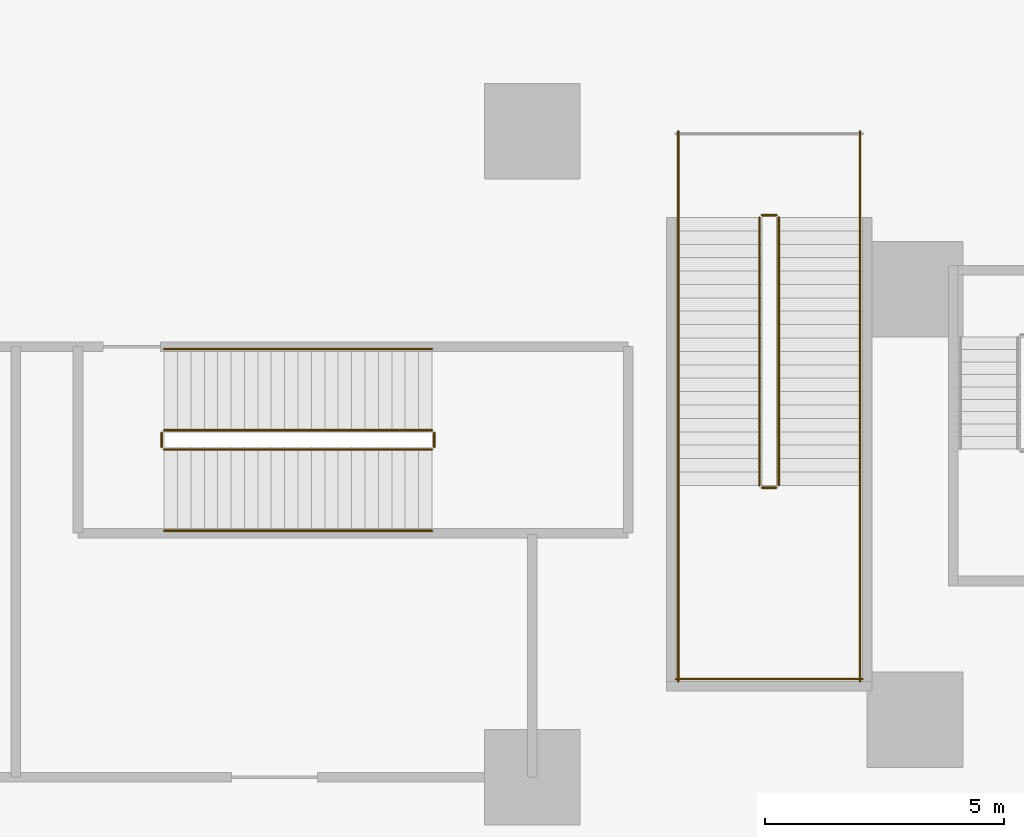
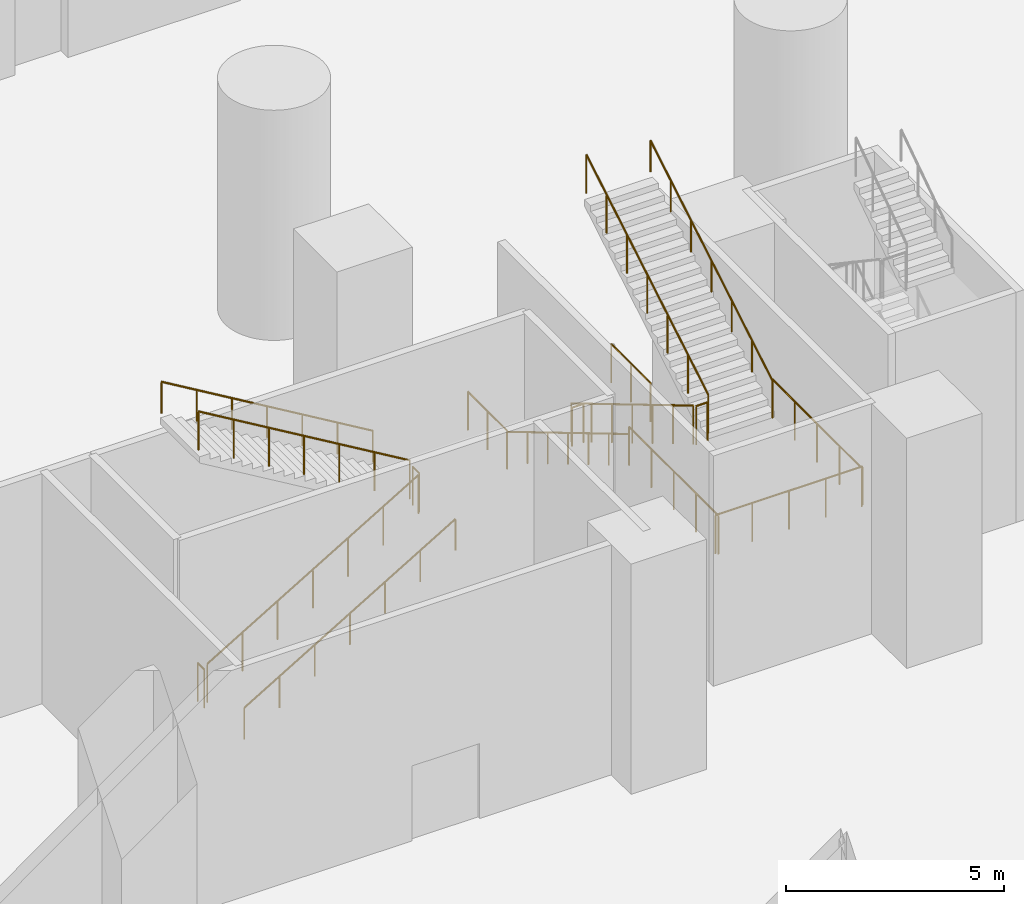
# One storey, part 21 of 37: 17 railings.
"""IFC4 building model written with IfcOpenShell, lengths in metres."""

from ifc_helpers import new_model, si_unit, direction, frame, origin, origin_2d, place, context, subcontext, project, spatial, circle, extrude, material, type_object, element, save


model = new_model("IFC4")

# Units and contexts
model_context = context("Model", 3, precision=1e-05, world=origin(), true_north=direction((0.0, 1.0)))
body_context = subcontext(model_context, "Body", "Model", "MODEL_VIEW")
ifc_project = project(units=[si_unit("LENGTHUNIT", "METRE"), si_unit("AREAUNIT", "SQUARE_METRE"), si_unit("VOLUMEUNIT", "CUBIC_METRE"), si_unit("PLANEANGLEUNIT", "RADIAN"), si_unit("MASSUNIT", "GRAM", prefix="KILO")], contexts=[model_context])

# Site, building, storey
site_placement = place(None, origin())
site = spatial("IfcSite", under=ifc_project, at=site_placement, CompositionType="ELEMENT")
building_placement = place(site_placement, origin())
building = spatial("IfcBuilding", under=site, at=building_placement, Name="Tamarind Cross Interchange Tower", CompositionType="ELEMENT")
storey_placement = place(building_placement, frame((0.0, 0.0, -7.0)))
storey = spatial("IfcBuildingStorey", under=building, at=storey_placement, Name="B1", CompositionType="ELEMENT", Elevation=-7.0)

# Railings
ifc_material_1 = material(Name="Public stair guard")
railing_type_1 = type_object("IfcRailingType", Name="Public stair guard", PredefinedType="GUARDRAIL", material=ifc_material_1)
railing_1_placement = place(storey_placement, frame((-8.75, -28.800048828125, 0.166748046875)))
element("IfcRailing", 1, at=railing_1_placement, inside=storey, type_object=railing_type_1, Name="B1 PS-S stair guard 1", PredefinedType="GUARDRAIL", context=body_context, shape_type="SweptSolid", body=[
    extrude(circle(Radius=0.02392578125, at=origin_2d()), frame((0.0, 0.0, 1.076171875), z_axis=(0.0, -0.859292492371, 0.511484518392), x_axis=(1.0, 0.0, 0.0)), (0.0, 0.0, 1.0), 6.516845703125),
    extrude(circle(Radius=0.02099609375, at=origin_2d()), origin(), (0.0, 0.0, 1.0), 1.052001953125),
    extrude(circle(Radius=0.02099609375, at=origin_2d()), frame((0.0, -0.933349609375, 0.5556640625)), (0.0, 0.0, 1.0), 1.052001953125),
    extrude(circle(Radius=0.02099609375, at=origin_2d()), frame((0.0, -1.86669921875, 1.111083984375)), (0.0, 0.0, 1.0), 1.052001953125),
    extrude(circle(Radius=0.02099609375, at=origin_2d()), frame((0.0, -2.7998046875, 1.66650390625)), (0.0, 0.0, 1.0), 1.052001953125),
    extrude(circle(Radius=0.02099609375, at=origin_2d()), frame((0.0, -3.733154296875, 2.22216796875)), (0.0, 0.0, 1.0), 1.052001953125),
    extrude(circle(Radius=0.02099609375, at=origin_2d()), frame((0.0, -4.66650390625, 2.77783203125)), (0.0, 0.0, 1.0), 1.052001953125),
    extrude(circle(Radius=0.02099609375, at=origin_2d()), frame((0.0, -5.599853515625, 3.333251953125)), (0.0, 0.0, 1.0), 1.052001953125),
])
railing_2_placement = place(storey_placement, frame((-8.699951171875, -34.449951171875, 3.5)))
element("IfcRailing", 2, at=railing_2_placement, inside=storey, type_object=railing_type_1, Name="B1 PS-S stair guard 2", PredefinedType="GUARDRAIL", context=body_context, shape_type="SweptSolid", body=[
    extrude(circle(Radius=0.02392578125, at=origin_2d()), frame((0.0, 0.0, 1.076171875), z_axis=(1.0, 0.0, 0.0), x_axis=(0.0, 1.0, 0.0)), (0.0, 0.0, 1.0), 0.300048828125),
    extrude(circle(Radius=0.02099609375, at=origin_2d()), origin(), (0.0, 0.0, 1.0), 1.052001953125),
    extrude(circle(Radius=0.02099609375, at=origin_2d()), frame((0.300048828125, 0.0, 0.0)), (0.0, 0.0, 1.0), 1.052001953125),
])
for number, where, name in (
    (3, (-10.449951171875, -34.39990234375, 3.5), "B1 PS-S stair guard 3"),
    (4, (-6.64990234375, -34.39990234375, 3.5), "B1 PS-S stair guard 4"),
):
    element("IfcRailing", number, at=place(storey_placement, frame(where)), inside=storey, type_object=railing_type_1, Name=name, PredefinedType="GUARDRAIL", context=body_context, shape_type="SweptSolid", body=[
        extrude(circle(Radius=0.02392578125, at=origin_2d()), frame((0.0, 0.0, 1.076171875), z_axis=(0.0, -1.0, 0.0), x_axis=(1.0, 0.0, 0.0)), (0.0, 0.0, 1.0), 4.10009765625),
        extrude(circle(Radius=0.02099609375, at=origin_2d()), origin(), (0.0, 0.0, 1.0), 1.052001953125),
        extrude(circle(Radius=0.02099609375, at=origin_2d()), frame((0.0, -1.02490234375, 0.0)), (0.0, 0.0, 1.0), 1.052001953125),
        extrude(circle(Radius=0.02099609375, at=origin_2d()), frame((0.0, -2.050048828125, 0.0)), (0.0, 0.0, 1.0), 1.052001953125),
        extrude(circle(Radius=0.02099609375, at=origin_2d()), frame((0.0, -3.0751953125, 0.0)), (0.0, 0.0, 1.0), 1.052001953125),
        extrude(circle(Radius=0.02099609375, at=origin_2d()), frame((0.0, -4.10009765625, 0.0)), (0.0, 0.0, 1.0), 1.052001953125),
    ])
railing_3_placement = place(storey_placement, frame((-10.5, -38.449951171875, 3.5)))
element("IfcRailing", 5, at=railing_3_placement, inside=storey, type_object=railing_type_1, Name="B1 PS-S stair guard 5", PredefinedType="GUARDRAIL", context=body_context, shape_type="SweptSolid", body=[
    extrude(circle(Radius=0.02392578125, at=origin_2d()), frame((0.0, 0.0, 1.076171875), z_axis=(1.0, 0.0, 0.0), x_axis=(0.0, 1.0, 0.0)), (0.0, 0.0, 1.0), 3.89990234375),
    extrude(circle(Radius=0.02099609375, at=origin_2d()), origin(), (0.0, 0.0, 1.0), 1.052001953125),
    extrude(circle(Radius=0.02099609375, at=origin_2d()), frame((0.97509765625, 0.0, 0.0)), (0.0, 0.0, 1.0), 1.052001953125),
    extrude(circle(Radius=0.02099609375, at=origin_2d()), frame((1.949951171875, 0.0, 0.0)), (0.0, 0.0, 1.0), 1.052001953125),
    extrude(circle(Radius=0.02099609375, at=origin_2d()), frame((2.9248046875, 0.0, 0.0)), (0.0, 0.0, 1.0), 1.052001953125),
    extrude(circle(Radius=0.02099609375, at=origin_2d()), frame((3.89990234375, 0.0, 0.0)), (0.0, 0.0, 1.0), 1.052001953125),
])
railing_4_placement = place(storey_placement, frame((-8.35009765625, -34.39990234375, 3.666748046875)))
element("IfcRailing", 6, at=railing_4_placement, inside=storey, type_object=railing_type_1, Name="B1 PS-S stair guard 6", PredefinedType="GUARDRAIL", context=body_context, shape_type="SweptSolid", body=[
    extrude(circle(Radius=0.02392578125, at=origin_2d()), frame((0.0, 0.0, 1.076171875), z_axis=(0.0, 0.859292492371, 0.511484518392), x_axis=(-1.0, 0.0, 0.0)), (0.0, 0.0, 1.0), 6.516845703125),
    extrude(circle(Radius=0.02099609375, at=origin_2d()), origin(), (0.0, 0.0, 1.0), 1.052001953125),
    extrude(circle(Radius=0.02099609375, at=origin_2d()), frame((0.0, 0.933349609375, 0.5556640625)), (0.0, 0.0, 1.0), 1.052001953125),
    extrude(circle(Radius=0.02099609375, at=origin_2d()), frame((0.0, 1.86669921875, 1.111083984375)), (0.0, 0.0, 1.0), 1.052001953125),
    extrude(circle(Radius=0.02099609375, at=origin_2d()), frame((0.0, 2.7998046875, 1.66650390625)), (0.0, 0.0, 1.0), 1.052001953125),
    extrude(circle(Radius=0.02099609375, at=origin_2d()), frame((0.0, 3.733154296875, 2.22216796875)), (0.0, 0.0, 1.0), 1.052001953125),
    extrude(circle(Radius=0.02099609375, at=origin_2d()), frame((0.0, 4.66650390625, 2.77783203125)), (0.0, 0.0, 1.0), 1.052001953125),
    extrude(circle(Radius=0.02099609375, at=origin_2d()), frame((0.0, 5.599853515625, 3.333251953125)), (0.0, 0.0, 1.0), 1.052001953125),
])
railing_5_placement = place(storey_placement, frame((-8.699951171875, -28.75, 0.0)))
element("IfcRailing", 7, at=railing_5_placement, inside=storey, type_object=railing_type_1, Name="B1 PS-S stair guard 7", PredefinedType="GUARDRAIL", context=body_context, shape_type="SweptSolid", body=[
    extrude(circle(Radius=0.02392578125, at=origin_2d()), frame((0.0, 0.0, 1.076171875), z_axis=(1.0, 0.0, 0.0), x_axis=(0.0, 1.0, 0.0)), (0.0, 0.0, 1.0), 0.300048828125),
    extrude(circle(Radius=0.02099609375, at=origin_2d()), origin(), (0.0, 0.0, 1.0), 1.052001953125),
    extrude(circle(Radius=0.02099609375, at=origin_2d()), frame((0.300048828125, 0.0, 0.0)), (0.0, 0.0, 1.0), 1.052001953125),
])
for number, where, name in (
    (8, (-10.449951171875, -27.0, 0.0), "B1 PS-S stair guard 8"),
    (9, (-6.64990234375, -27.0, 0.0), "B1 PS-S stair guard 9"),
):
    element("IfcRailing", number, at=place(storey_placement, frame(where)), inside=storey, type_object=railing_type_1, Name=name, PredefinedType="GUARDRAIL", context=body_context, shape_type="SweptSolid", body=[
        extrude(circle(Radius=0.02392578125, at=origin_2d()), frame((0.0, 0.0, 1.076171875), z_axis=(0.0, -1.0, 0.0), x_axis=(1.0, 0.0, 0.0)), (0.0, 0.0, 1.0), 1.800048828125),
        extrude(circle(Radius=0.02099609375, at=origin_2d()), origin(), (0.0, 0.0, 1.0), 1.052001953125),
        extrude(circle(Radius=0.02099609375, at=origin_2d()), frame((0.0, -0.89990234375, 0.0)), (0.0, 0.0, 1.0), 1.052001953125),
        extrude(circle(Radius=0.02099609375, at=origin_2d()), frame((0.0, -1.800048828125, 0.0)), (0.0, 0.0, 1.0), 1.052001953125),
    ])
railing_6_placement = place(storey_placement, frame((-21.199951171875, -33.64990234375, 0.166748046875)))
element("IfcRailing", 10, at=railing_6_placement, inside=storey, type_object=railing_type_1, Name="B1 XS-P09 stair guard 1", PredefinedType="GUARDRAIL", context=body_context, shape_type="SweptSolid", body=[
    extrude(circle(Radius=0.02392578125, at=origin_2d()), frame((0.0, 0.0, 1.076171875), z_axis=(0.859292492371, 0.0, 0.511484518392), x_axis=(0.0, 1.0, 0.0)), (0.0, 0.0, 1.0), 6.516845703125),
    extrude(circle(Radius=0.02099609375, at=origin_2d()), origin(), (0.0, 0.0, 1.0), 1.052001953125),
    extrude(circle(Radius=0.02099609375, at=origin_2d()), frame((0.933349609375, 0.0, 0.5556640625)), (0.0, 0.0, 1.0), 1.052001953125),
    extrude(circle(Radius=0.02099609375, at=origin_2d()), frame((1.86669921875, 0.0, 1.111083984375)), (0.0, 0.0, 1.0), 1.052001953125),
    extrude(circle(Radius=0.02099609375, at=origin_2d()), frame((2.7998046875, 0.0, 1.66650390625)), (0.0, 0.0, 1.0), 1.052001953125),
    extrude(circle(Radius=0.02099609375, at=origin_2d()), frame((3.733154296875, 0.0, 2.22216796875)), (0.0, 0.0, 1.0), 1.052001953125),
    extrude(circle(Radius=0.02099609375, at=origin_2d()), frame((4.66650390625, 0.0, 2.77783203125)), (0.0, 0.0, 1.0), 1.052001953125),
    extrude(circle(Radius=0.02099609375, at=origin_2d()), frame((5.599853515625, 0.0, 3.333251953125)), (0.0, 0.0, 1.0), 1.052001953125),
])
railing_7_placement = place(storey_placement, frame((-15.550048828125, -33.60009765625, 3.5)))
element("IfcRailing", 11, at=railing_7_placement, inside=storey, type_object=railing_type_1, Name="B1 XS-P09 stair guard 2", PredefinedType="GUARDRAIL", context=body_context, shape_type="SweptSolid", body=[
    extrude(circle(Radius=0.02392578125, at=origin_2d()), frame((0.0, 0.0, 1.076171875), z_axis=(0.0, 1.0, 0.0), x_axis=(-1.0, 0.0, 0.0)), (0.0, 0.0, 1.0), 0.300048828125),
    extrude(circle(Radius=0.02099609375, at=origin_2d()), origin(), (0.0, 0.0, 1.0), 1.052001953125),
    extrude(circle(Radius=0.02099609375, at=origin_2d()), frame((0.0, 0.300048828125, 0.0)), (0.0, 0.0, 1.0), 1.052001953125),
])
railing_8_placement = place(storey_placement, frame((-15.60009765625, -33.25, 3.666748046875)))
element("IfcRailing", 12, at=railing_8_placement, inside=storey, type_object=railing_type_1, Name="B1 XS-P09 stair guard 3", PredefinedType="GUARDRAIL", context=body_context, shape_type="SweptSolid", body=[
    extrude(circle(Radius=0.02392578125, at=origin_2d()), frame((0.0, 0.0, 1.076171875), z_axis=(-0.859292492371, 0.0, 0.511484518392), x_axis=(0.0, -1.0, 0.0)), (0.0, 0.0, 1.0), 6.516845703125),
    extrude(circle(Radius=0.02099609375, at=origin_2d()), origin(), (0.0, 0.0, 1.0), 1.052001953125),
    extrude(circle(Radius=0.02099609375, at=origin_2d()), frame((-0.933349609375, 0.0, 0.5556640625)), (0.0, 0.0, 1.0), 1.052001953125),
    extrude(circle(Radius=0.02099609375, at=origin_2d()), frame((-1.86669921875, 0.0, 1.111083984375)), (0.0, 0.0, 1.0), 1.052001953125),
    extrude(circle(Radius=0.02099609375, at=origin_2d()), frame((-2.7998046875, 0.0, 1.66650390625)), (0.0, 0.0, 1.0), 1.052001953125),
    extrude(circle(Radius=0.02099609375, at=origin_2d()), frame((-3.733154296875, 0.0, 2.22216796875)), (0.0, 0.0, 1.0), 1.052001953125),
    extrude(circle(Radius=0.02099609375, at=origin_2d()), frame((-4.66650390625, 0.0, 2.77783203125)), (0.0, 0.0, 1.0), 1.052001953125),
    extrude(circle(Radius=0.02099609375, at=origin_2d()), frame((-5.599853515625, 0.0, 3.333251953125)), (0.0, 0.0, 1.0), 1.052001953125),
])
railing_9_placement = place(storey_placement, frame((-21.25, -33.60009765625, 0.0)))
element("IfcRailing", 13, at=railing_9_placement, inside=storey, type_object=railing_type_1, Name="B1 XS-P09 stair guard 4", PredefinedType="GUARDRAIL", context=body_context, shape_type="SweptSolid", body=[
    extrude(circle(Radius=0.02392578125, at=origin_2d()), frame((0.0, 0.0, 1.076171875), z_axis=(0.0, 1.0, 0.0), x_axis=(-1.0, 0.0, 0.0)), (0.0, 0.0, 1.0), 0.300048828125),
    extrude(circle(Radius=0.02099609375, at=origin_2d()), origin(), (0.0, 0.0, 1.0), 1.052001953125),
    extrude(circle(Radius=0.02099609375, at=origin_2d()), frame((0.0, 0.300048828125, 0.0)), (0.0, 0.0, 1.0), 1.052001953125),
])
ifc_material_2 = material(Name="Public stair handrail")
railing_type_2 = type_object("IfcRailingType", Name="Public stair handrail", PredefinedType="HANDRAIL", material=ifc_material_2)
railing_10_placement = place(storey_placement, frame((-10.449951171875, -28.800048828125, 0.166748046875)))
element("IfcRailing", 14, at=railing_10_placement, inside=storey, type_object=railing_type_2, Name="B1 PS-S stair handrail 1", PredefinedType="HANDRAIL", context=body_context, shape_type="SweptSolid", body=[
    extrude(circle(Radius=0.02392578125, at=origin_2d()), frame((0.0, 0.0, 0.8759765625), z_axis=(0.0, -0.859292492371, 0.511484518392), x_axis=(1.0, 0.0, 0.0)), (0.0, 0.0, 1.0), 6.516845703125),
    extrude(circle(Radius=0.02099609375, at=origin_2d()), origin(), (0.0, 0.0, 1.0), 0.851806640625),
    extrude(circle(Radius=0.02099609375, at=origin_2d()), frame((0.0, -0.933349609375, 0.5556640625)), (0.0, 0.0, 1.0), 0.851806640625),
    extrude(circle(Radius=0.02099609375, at=origin_2d()), frame((0.0, -1.86669921875, 1.111083984375)), (0.0, 0.0, 1.0), 0.851806640625),
    extrude(circle(Radius=0.02099609375, at=origin_2d()), frame((0.0, -2.7998046875, 1.66650390625)), (0.0, 0.0, 1.0), 0.851806640625),
    extrude(circle(Radius=0.02099609375, at=origin_2d()), frame((0.0, -3.733154296875, 2.22216796875)), (0.0, 0.0, 1.0), 0.851806640625),
    extrude(circle(Radius=0.02099609375, at=origin_2d()), frame((0.0, -4.66650390625, 2.77783203125)), (0.0, 0.0, 1.0), 0.851806640625),
    extrude(circle(Radius=0.02099609375, at=origin_2d()), frame((0.0, -5.599853515625, 3.333251953125)), (0.0, 0.0, 1.0), 0.851806640625),
])
railing_11_placement = place(storey_placement, frame((-6.64990234375, -34.39990234375, 3.666748046875)))
element("IfcRailing", 15, at=railing_11_placement, inside=storey, type_object=railing_type_2, Name="B1 PS-S stair handrail 2", PredefinedType="HANDRAIL", context=body_context, shape_type="SweptSolid", body=[
    extrude(circle(Radius=0.02392578125, at=origin_2d()), frame((0.0, 0.0, 0.8759765625), z_axis=(0.0, 0.859292492371, 0.511484518392), x_axis=(-1.0, 0.0, 0.0)), (0.0, 0.0, 1.0), 6.516845703125),
    extrude(circle(Radius=0.02099609375, at=origin_2d()), origin(), (0.0, 0.0, 1.0), 0.851806640625),
    extrude(circle(Radius=0.02099609375, at=origin_2d()), frame((0.0, 0.933349609375, 0.5556640625)), (0.0, 0.0, 1.0), 0.851806640625),
    extrude(circle(Radius=0.02099609375, at=origin_2d()), frame((0.0, 1.86669921875, 1.111083984375)), (0.0, 0.0, 1.0), 0.851806640625),
    extrude(circle(Radius=0.02099609375, at=origin_2d()), frame((0.0, 2.7998046875, 1.66650390625)), (0.0, 0.0, 1.0), 0.851806640625),
    extrude(circle(Radius=0.02099609375, at=origin_2d()), frame((0.0, 3.733154296875, 2.22216796875)), (0.0, 0.0, 1.0), 0.851806640625),
    extrude(circle(Radius=0.02099609375, at=origin_2d()), frame((0.0, 4.66650390625, 2.77783203125)), (0.0, 0.0, 1.0), 0.851806640625),
    extrude(circle(Radius=0.02099609375, at=origin_2d()), frame((0.0, 5.599853515625, 3.333251953125)), (0.0, 0.0, 1.0), 0.851806640625),
])
railing_12_placement = place(storey_placement, frame((-21.199951171875, -35.35009765625, 0.166748046875)))
element("IfcRailing", 16, at=railing_12_placement, inside=storey, type_object=railing_type_2, Name="B1 XS-P09 stair handrail 1", PredefinedType="HANDRAIL", context=body_context, shape_type="SweptSolid", body=[
    extrude(circle(Radius=0.02392578125, at=origin_2d()), frame((0.0, 0.0, 0.8759765625), z_axis=(0.859292492371, 0.0, 0.511484518392), x_axis=(0.0, 1.0, 0.0)), (0.0, 0.0, 1.0), 6.516845703125),
    extrude(circle(Radius=0.02099609375, at=origin_2d()), origin(), (0.0, 0.0, 1.0), 0.851806640625),
    extrude(circle(Radius=0.02099609375, at=origin_2d()), frame((0.933349609375, 0.0, 0.5556640625)), (0.0, 0.0, 1.0), 0.851806640625),
    extrude(circle(Radius=0.02099609375, at=origin_2d()), frame((1.86669921875, 0.0, 1.111083984375)), (0.0, 0.0, 1.0), 0.851806640625),
    extrude(circle(Radius=0.02099609375, at=origin_2d()), frame((2.7998046875, 0.0, 1.66650390625)), (0.0, 0.0, 1.0), 0.851806640625),
    extrude(circle(Radius=0.02099609375, at=origin_2d()), frame((3.733154296875, 0.0, 2.22216796875)), (0.0, 0.0, 1.0), 0.851806640625),
    extrude(circle(Radius=0.02099609375, at=origin_2d()), frame((4.66650390625, 0.0, 2.77783203125)), (0.0, 0.0, 1.0), 0.851806640625),
    extrude(circle(Radius=0.02099609375, at=origin_2d()), frame((5.599853515625, 0.0, 3.333251953125)), (0.0, 0.0, 1.0), 0.851806640625),
])
railing_13_placement = place(storey_placement, frame((-15.60009765625, -31.550048828125, 3.666748046875)))
element("IfcRailing", 17, at=railing_13_placement, inside=storey, type_object=railing_type_2, Name="B1 XS-P09 stair handrail 2", PredefinedType="HANDRAIL", context=body_context, shape_type="SweptSolid", body=[
    extrude(circle(Radius=0.02392578125, at=origin_2d()), frame((0.0, 0.0, 0.8759765625), z_axis=(-0.859292492371, 0.0, 0.511484518392), x_axis=(0.0, -1.0, 0.0)), (0.0, 0.0, 1.0), 6.516845703125),
    extrude(circle(Radius=0.02099609375, at=origin_2d()), origin(), (0.0, 0.0, 1.0), 0.851806640625),
    extrude(circle(Radius=0.02099609375, at=origin_2d()), frame((-0.933349609375, 0.0, 0.5556640625)), (0.0, 0.0, 1.0), 0.851806640625),
    extrude(circle(Radius=0.02099609375, at=origin_2d()), frame((-1.86669921875, 0.0, 1.111083984375)), (0.0, 0.0, 1.0), 0.851806640625),
    extrude(circle(Radius=0.02099609375, at=origin_2d()), frame((-2.7998046875, 0.0, 1.66650390625)), (0.0, 0.0, 1.0), 0.851806640625),
    extrude(circle(Radius=0.02099609375, at=origin_2d()), frame((-3.733154296875, 0.0, 2.22216796875)), (0.0, 0.0, 1.0), 0.851806640625),
    extrude(circle(Radius=0.02099609375, at=origin_2d()), frame((-4.66650390625, 0.0, 2.77783203125)), (0.0, 0.0, 1.0), 0.851806640625),
    extrude(circle(Radius=0.02099609375, at=origin_2d()), frame((-5.599853515625, 0.0, 3.333251953125)), (0.0, 0.0, 1.0), 0.851806640625),
])

save(model, "model.ifc")
